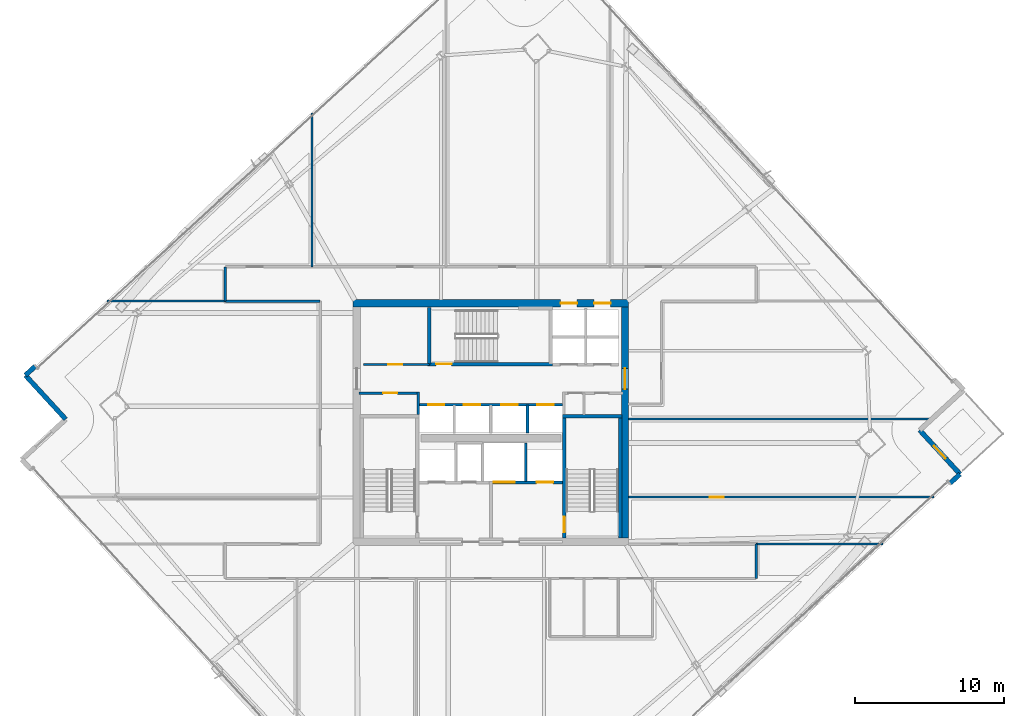
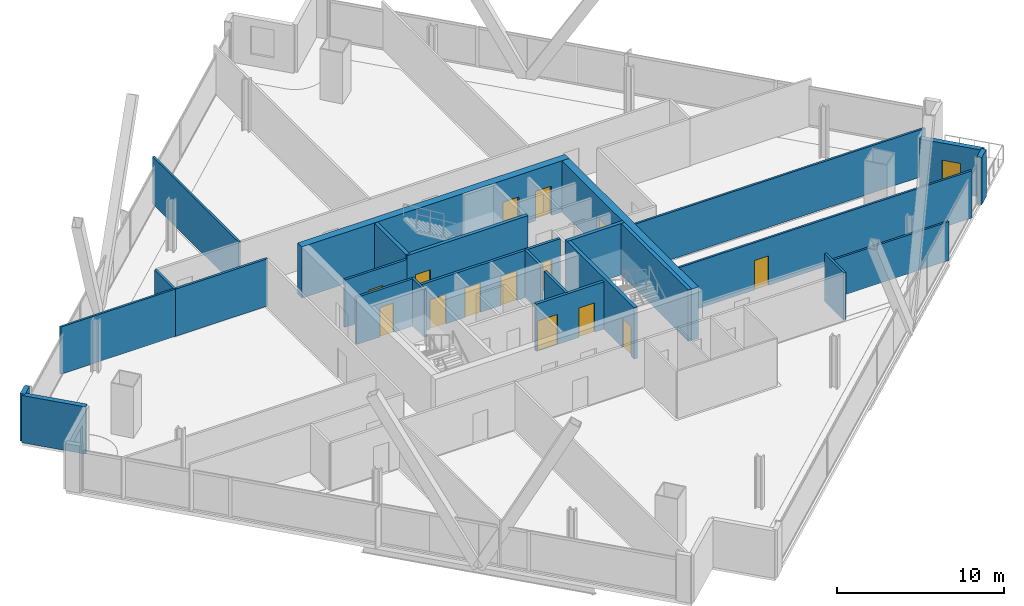
# One storey, part 26 of 32: 26 walls, 15 doors, 15 openings.
"""IFC4 building model written with IfcOpenShell, lengths in metres."""

from ifc_helpers import new_model, si_unit, direction, frame, frame_2d, origin, place, context, subcontext, project, spatial, rectangle, extrude, material, layer, layer_set, type_object, element, fill, save


model = new_model("IFC4")

# Units and contexts
model_context = context("Model", 3, precision=1e-05, world=origin(), true_north=direction((0.0, 1.0)))
body_context = subcontext(model_context, "Body", "Model", "MODEL_VIEW")
ifc_project = project(units=[si_unit("LENGTHUNIT", "METRE"), si_unit("AREAUNIT", "SQUARE_METRE"), si_unit("VOLUMEUNIT", "CUBIC_METRE"), si_unit("PLANEANGLEUNIT", "RADIAN"), si_unit("MASSUNIT", "GRAM", prefix="KILO")], contexts=[model_context])

# Site, building, storey
site_placement = place(None, origin())
site = spatial("IfcSite", under=ifc_project, at=site_placement, CompositionType="ELEMENT")
building_placement = place(site_placement, origin())
building = spatial("IfcBuilding", under=site, at=building_placement, Name="Haldenkirk Collegiate Tower", CompositionType="ELEMENT")
storey_placement = place(building_placement, frame((0.0, 0.0, 170.699951171875)))
storey = spatial("IfcBuildingStorey", under=building, at=storey_placement, Name="L42", CompositionType="ELEMENT", Elevation=170.699951171875)

# Wall, openings, doors
ifc_material_1 = material(Name="Concrete f'c 55 MPa", Category="concrete")
ifc_layer_1 = layer(ifc_material_1, 0.5)
ifc_layer_set_1 = layer_set([ifc_layer_1], Name="Concrete f'c 55 MPa")
wall_type_1 = type_object("IfcWallType", Name="WL-CORE-500", PredefinedType="SHEAR", material=ifc_layer_set_1)
wall_1_placement = place(storey_placement, frame((26.75, 34.0, 0.0), z_axis=(0.0, 0.0, 1.0), x_axis=(1.0, 0.0, 0.0)))
wall_1 = element("IfcWall", 1, at=wall_1_placement, inside=storey, type_object=wall_type_1, Name="L42 central core shear wall N", PredefinedType="SHEAR", context=body_context, shape_type="SweptSolid", body=[
    extrude(rectangle(XDim=18.5, YDim=0.5, at=frame_2d((9.25, 0.0))), origin(), (0.0, 0.0, 1.0), 3.75),
])
opening_1_placement = place(wall_1_placement, frame((13.93505859375, 0.0, 0.0)))
opening_1 = element("IfcOpeningElement", 2, at=opening_1_placement, cuts=wall_1, Name="Opening LD-11", PredefinedType="OPENING", context=body_context, shape_type="SweptSolid", body=[
    extrude(rectangle(XDim=1.10009765625, YDim=2.14990234375, at=frame_2d((0.550048828125, 1.074951171875))), frame((0.0, 0.260009765625, 0.0), z_axis=(0.0, -1.0, 0.0), x_axis=(1.0, 0.0, 0.0)), (0.0, 0.0, 1.0), 0.52001953125),
])
opening_2_placement = place(wall_1_placement, frame((16.18505859375, 0.0, 0.0)))
opening_2 = element("IfcOpeningElement", 3, at=opening_2_placement, cuts=wall_1, Name="Opening LD-11", PredefinedType="OPENING", context=body_context, shape_type="SweptSolid", body=[
    extrude(rectangle(XDim=1.10009765625, YDim=2.14990234375, at=frame_2d((0.550048828125, 1.074951171875))), frame((0.0, 0.260009765625, 0.0), z_axis=(0.0, -1.0, 0.0), x_axis=(1.0, 0.0, 0.0)), (0.0, 0.0, 1.0), 0.52001953125),
])
ifc_material_2 = material(Name="Brushed architectural stainless steel", Category="steel")
ifc_layer_2 = layer(ifc_material_2, 0.06005859375)
ifc_layer_set_2 = layer_set([ifc_layer_2], Name="Brushed architectural stainless steel")
door_type_1 = type_object("IfcDoorType", Name="LD-PASS-1100", OperationType="NOTDEFINED", PredefinedType="DOOR", material=ifc_layer_set_2)
door_1_placement = place(opening_1_placement, origin())
door_1 = element("IfcDoor", 4, at=door_1_placement, inside=storey, type_object=door_type_1, Name="L42 Elevator PM3 sliding landing door", OperationType="SLIDING_TO_LEFT", OverallHeight=2.14990234375, OverallWidth=1.10009765625, PredefinedType="DOOR", context=body_context, shape_type="SweptSolid", body=[
    extrude(rectangle(XDim=1.10009765625, YDim=2.14990234375, at=frame_2d((0.550048828125, 1.074951171875))), frame((0.0, 0.02490234375, 0.0), z_axis=(0.0, -1.0, 0.0), x_axis=(1.0, 0.0, 0.0)), (0.0, 0.0, 1.0), 0.050048828125),
])
fill(opening_1, door_1)
door_2_placement = place(opening_2_placement, origin())
door_2 = element("IfcDoor", 5, at=door_2_placement, inside=storey, type_object=door_type_1, Name="L42 Elevator PM4 sliding landing door", OperationType="SLIDING_TO_LEFT", OverallHeight=2.14990234375, OverallWidth=1.10009765625, PredefinedType="DOOR", context=body_context, shape_type="SweptSolid", body=[
    extrude(rectangle(XDim=1.10009765625, YDim=2.14990234375, at=frame_2d((0.550048828125, 1.074951171875))), frame((0.0, 0.02490234375, 0.0), z_axis=(0.0, -1.0, 0.0), x_axis=(1.0, 0.0, 0.0)), (0.0, 0.0, 1.0), 0.050048828125),
])
fill(opening_2, door_2)

# Wall, opening, door
wall_2_placement = place(storey_placement, frame((45.0, 18.25, 0.0), z_axis=(0.0, 0.0, 1.0), x_axis=(0.0, 1.0, 0.0)))
wall_2 = element("IfcWall", 6, at=wall_2_placement, inside=storey, type_object=wall_type_1, Name="L42 central core shear wall E", PredefinedType="SHEAR", context=body_context, shape_type="SweptSolid", body=[
    extrude(rectangle(XDim=15.5, YDim=0.5, at=frame_2d((7.75, 0.0))), origin(), (0.0, 0.0, 1.0), 3.75),
])
opening_3_placement = place(wall_2_placement, frame((9.989990234375, 0.0, 0.0)))
opening_3 = element("IfcOpeningElement", 7, at=opening_3_placement, cuts=wall_2, Name="Opening D-03", PredefinedType="OPENING", context=body_context, shape_type="SweptSolid", body=[
    extrude(rectangle(XDim=1.39990234375, YDim=2.199951171875, at=frame_2d((0.699951171875, 1.10009765625))), frame((0.0, 0.260009765625, 0.0), z_axis=(0.0, -1.0, 0.0), x_axis=(1.0, 0.0, 0.0)), (0.0, 0.0, 1.0), 0.52001953125),
])
ifc_material_3 = material(Name="Galvanized fire-rated hollow steel door", Category="steel")
ifc_layer_3 = layer(ifc_material_3, 0.06005859375)
ifc_layer_set_3 = layer_set([ifc_layer_3], Name="Galvanized fire-rated hollow steel door")
door_type_2 = type_object("IfcDoorType", Name="DR-LOBBY-FD90-1400", OperationType="NOTDEFINED", PredefinedType="DOOR", material=ifc_layer_set_3)
door_3_placement = place(opening_3_placement, origin())
door_3 = element("IfcDoor", 8, at=door_3_placement, inside=storey, type_object=door_type_2, Name="L42 east lift lobby portal", OperationType="DOUBLE_DOOR_SINGLE_SWING", OverallHeight=2.199951171875, OverallWidth=1.39990234375, PredefinedType="DOOR", context=body_context, shape_type="SweptSolid", body=[
    extrude(rectangle(XDim=1.39990234375, YDim=2.199951171875, at=frame_2d((0.699951171875, 1.10009765625))), frame((0.0, 0.02490234375, 0.0), z_axis=(0.0, -1.0, 0.0), x_axis=(1.0, 0.0, 0.0)), (0.0, 0.0, 1.0), 0.050048828125),
])
fill(opening_3, door_3)

# Wall
ifc_material_4 = material(Name="Precast concrete f'c 40 MPa", Category="concrete")
ifc_layer_4 = layer(ifc_material_4, 0.320068359375)
ifc_layer_set_4 = layer_set([ifc_layer_4], Name="Precast concrete f'c 40 MPa")
wall_type_2 = type_object("IfcWallType", Name="WL-EXT-TWR-320", PredefinedType="STANDARD", material=ifc_layer_set_4)
wall_3_placement = place(storey_placement, frame((67.47119140625, 22.5478515625, 0.0), z_axis=(0.0, 0.0, 1.0), x_axis=(-0.736703606078, -0.676215791587, 0.0)))
element("IfcWall", 9, at=wall_3_placement, inside=storey, type_object=wall_type_2, Name="L42 precast corner pier SL", PredefinedType="STANDARD", context=body_context, shape_type="SweptSolid", body=[
    extrude(rectangle(XDim=0.900146484375, YDim=0.320068359375, at=frame_2d((0.4501953125, 0.0))), origin(), (0.0, 0.0, 1.0), 3.4599609375),
])

# Wall, opening, door
wall_4_placement = place(storey_placement, frame((64.766357421875, 25.49462890625, 0.0), z_axis=(0.0, 0.0, 1.0), x_axis=(0.676216450207, -0.736703001534, 0.0)))
wall_4 = element("IfcWall", 10, at=wall_4_placement, inside=storey, type_object=wall_type_2, Name="L42 bronze precast notch wall 02", PredefinedType="STANDARD", context=body_context, shape_type="SweptSolid", body=[
    extrude(rectangle(XDim=4.0, YDim=0.320068359375, at=frame_2d((2.0, 0.0))), origin(), (0.0, 0.0, 1.0), 3.4599609375),
])
opening_4_placement = place(wall_4_placement, frame((1.425048828125, 0.0, 0.0)))
opening_4 = element("IfcOpeningElement", 11, at=opening_4_placement, cuts=wall_4, Name="Opening D-ST11", PredefinedType="OPENING", context=body_context, shape_type="SweptSolid", body=[
    extrude(rectangle(XDim=1.14990234375, YDim=2.199951171875, at=frame_2d((0.574951171875, 1.10009765625))), frame((0.0, 0.169921875, 0.0), z_axis=(0.0, -1.0, 0.0), x_axis=(1.0, 0.0, 0.0)), (0.0, 0.0, 1.0), 0.340087890625),
])
ifc_material_5 = material(Name="Anodised architectural bronze aluminium", Category="aluminium")
ifc_layer_5 = layer(ifc_material_5, 0.080078125)
ifc_layer_set_5 = layer_set([ifc_layer_5], Name="Anodised architectural bronze aluminium")
door_type_3 = type_object("IfcDoorType", Name="DR-EXT-STER-1150", OperationType="NOTDEFINED", PredefinedType="DOOR", material=ifc_layer_set_5)
door_4_placement = place(opening_4_placement, origin())
door_4 = element("IfcDoor", 12, at=door_4_placement, inside=storey, type_object=door_type_3, Name="L42 spiralling terrace door", OperationType="SINGLE_SWING_LEFT", OverallHeight=2.199951171875, OverallWidth=1.14990234375, PredefinedType="DOOR", context=body_context, shape_type="SweptSolid", body=[
    extrude(rectangle(XDim=1.14990234375, YDim=2.199951171875, at=frame_2d((0.574951171875, 1.10009765625))), frame((0.0, 0.02490234375, 0.0), z_axis=(0.0, -1.0, 0.0), x_axis=(1.0, 0.0, 0.0)), (0.0, 0.0, 1.0), 0.050048828125),
])
fill(opening_4, door_4)

# Walls
wall_5_placement = place(storey_placement, frame((4.782470703125, 29.17578125, 0.0), z_axis=(0.0, 0.0, 1.0), x_axis=(0.736579536921, 0.676350933902, 0.0)))
element("IfcWall", 13, at=wall_5_placement, inside=storey, type_object=wall_type_2, Name="L42 precast corner pier NL", PredefinedType="STANDARD", context=body_context, shape_type="SweptSolid", body=[
    extrude(rectangle(XDim=0.89990234375, YDim=0.320068359375, at=frame_2d((0.449951171875, 0.0))), origin(), (0.0, 0.0, 1.0), 3.4599609375),
])
wall_6_placement = place(storey_placement, frame((7.4873046875, 26.22900390625, 0.0), z_axis=(0.0, 0.0, 1.0), x_axis=(-0.676216450207, 0.736703001534, 0.0)))
element("IfcWall", 14, at=wall_6_placement, inside=storey, type_object=wall_type_2, Name="L42 bronze precast notch wall 08", PredefinedType="STANDARD", context=body_context, shape_type="SweptSolid", body=[
    extrude(rectangle(XDim=4.0, YDim=0.320068359375, at=frame_2d((2.0, 0.0))), origin(), (0.0, 0.0, 1.0), 3.4599609375),
])

# Wall, opening, door
ifc_material_6 = material(Name="Acoustic fire-rated gypsum partition", Category="concrete")
ifc_layer_6 = layer(ifc_material_6, 0.159912109375)
ifc_layer_set_6 = layer_set([ifc_layer_6], Name="Acoustic fire-rated gypsum partition")
wall_type_3 = type_object("IfcWallType", Name="WL-INT-CORR-160", PredefinedType="PARTITIONING", material=ifc_layer_set_6)
wall_7_placement = place(storey_placement, frame((27.14990234375, 27.97998046875, 0.0), z_axis=(0.0, 0.0, 1.0), x_axis=(1.0, 0.0, 0.0)))
wall_7 = element("IfcWall", 15, at=wall_7_placement, inside=storey, type_object=wall_type_3, Name="L42 interior partition IW-L42-VCSW-N", PredefinedType="PARTITIONING", context=body_context, shape_type="SweptSolid", body=[
    extrude(rectangle(XDim=4.050048828125, YDim=0.159912109375, at=frame_2d((2.02490234375, 0.0))), origin(), (0.0, 0.0, 1.0), 3.4599609375),
])
opening_5_placement = place(wall_7_placement, frame((1.625, 0.0, 0.0)))
opening_5 = element("IfcOpeningElement", 16, at=opening_5_placement, cuts=wall_7, Name="Opening D-10", PredefinedType="OPENING", context=body_context, shape_type="SweptSolid", body=[
    extrude(rectangle(XDim=0.949951171875, YDim=2.14990234375, at=frame_2d((0.47509765625, 1.074951171875))), frame((0.0, 0.08984375, 0.0), z_axis=(0.0, -1.0, 0.0), x_axis=(1.0, 0.0, 0.0)), (0.0, 0.0, 1.0), 0.179931640625),
])
ifc_material_7 = material(Name="Solid-core architectural oak fire door", Category="wood")
ifc_layer_7 = layer(ifc_material_7, 0.06005859375)
ifc_layer_set_7 = layer_set([ifc_layer_7], Name="Solid-core architectural oak fire door")
door_type_4 = type_object("IfcDoorType", Name="DR-INT-FD60-950", OperationType="NOTDEFINED", PredefinedType="DOOR", material=ifc_layer_set_7)
door_5_placement = place(opening_5_placement, origin())
door_5 = element("IfcDoor", 17, at=door_5_placement, inside=storey, type_object=door_type_4, Name="L42 core tea pantry door", OperationType="SINGLE_SWING_RIGHT", OverallHeight=2.14990234375, OverallWidth=0.949951171875, PredefinedType="DOOR", context=body_context, shape_type="SweptSolid", body=[
    extrude(rectangle(XDim=0.949951171875, YDim=2.14990234375, at=frame_2d((0.47509765625, 1.074951171875))), frame((0.0, 0.02490234375, 0.0), z_axis=(0.0, -1.0, 0.0), x_axis=(1.0, 0.0, 0.0)), (0.0, 0.0, 1.0), 0.050048828125),
])
fill(opening_5, door_5)

# Wall
wall_8_placement = place(storey_placement, frame((31.1201171875, 26.5400390625, 0.0), z_axis=(0.0, 0.0, 1.0), x_axis=(0.0, 1.0, 0.0)))
element("IfcWall", 18, at=wall_8_placement, inside=storey, type_object=wall_type_3, Name="L42 interior partition IW-L42-VCSW-E", PredefinedType="PARTITIONING", context=body_context, shape_type="SweptSolid", body=[
    extrude(rectangle(XDim=1.510009765625, YDim=0.159912109375, at=frame_2d((0.7548828125, 0.0))), origin(), (0.0, 0.0, 1.0), 3.4599609375),
])

# Wall, opening, door
wall_9_placement = place(storey_placement, frame((27.449951171875, 29.89990234375, 0.0), z_axis=(0.0, 0.0, 1.0), x_axis=(1.0, 0.0, 0.0)))
wall_9 = element("IfcWall", 19, at=wall_9_placement, inside=storey, type_object=wall_type_3, Name="L42 interior partition IW-L42-PLS", PredefinedType="PARTITIONING", context=body_context, shape_type="SweptSolid", body=[
    extrude(rectangle(XDim=4.429931640625, YDim=0.159912109375, at=frame_2d((2.21484375, 0.0))), origin(), (0.0, 0.0, 1.0), 3.4599609375),
])
opening_6_placement = place(wall_9_placement, frame((1.675048828125, 0.0, 0.0)))
opening_6 = element("IfcOpeningElement", 20, at=opening_6_placement, cuts=wall_9, Name="Opening D-10", PredefinedType="OPENING", context=body_context, shape_type="SweptSolid", body=[
    extrude(rectangle(XDim=0.949951171875, YDim=2.14990234375, at=frame_2d((0.47509765625, 1.074951171875))), frame((0.0, 0.08984375, 0.0), z_axis=(0.0, -1.0, 0.0), x_axis=(1.0, 0.0, 0.0)), (0.0, 0.0, 1.0), 0.179931640625),
])
door_6_placement = place(opening_6_placement, origin())
door_6 = element("IfcDoor", 21, at=door_6_placement, inside=storey, type_object=door_type_4, Name="L42 archive door", OperationType="SINGLE_SWING_LEFT", OverallHeight=2.14990234375, OverallWidth=0.949951171875, PredefinedType="DOOR", context=body_context, shape_type="SweptSolid", body=[
    extrude(rectangle(XDim=0.949951171875, YDim=2.14990234375, at=frame_2d((0.47509765625, 1.074951171875))), frame((0.0, 0.02490234375, 0.0), z_axis=(0.0, -1.0, 0.0), x_axis=(1.0, 0.0, 0.0)), (0.0, 0.0, 1.0), 0.050048828125),
])
fill(opening_6, door_6)

# Walls
wall_10_placement = place(storey_placement, frame((18.199951171875, 34.14990234375, 0.0), z_axis=(0.0, 0.0, 1.0), x_axis=(1.0, 0.0, 0.0)))
element("IfcWall", 22, at=wall_10_placement, inside=storey, type_object=wall_type_3, Name="L42 interior partition IW-L42-CNW", PredefinedType="PARTITIONING", context=body_context, shape_type="SweptSolid", body=[
    extrude(rectangle(XDim=6.35009765625, YDim=0.159912109375, at=frame_2d((3.175048828125, 0.0))), origin(), (0.0, 0.0, 1.0), 3.4599609375),
])
for number, where, z_axis, x_axis, name in (
    (23, (53.800048828125, 15.550048828125, 0.0), (0.0, 0.0, 1.0), (0.0, 1.0, 0.0), "L42 interior partition IW-L42-CSR"),
    (24, (18.199951171875, 34.14990234375, 0.0), (0.0, 0.0, 1.0), (0.0, 1.0, 0.0), "L42 interior partition IW-L42-CNL"),
):
    element("IfcWall", number, at=place(storey_placement, frame(where, z_axis=z_axis, x_axis=x_axis)), inside=storey, type_object=wall_type_3, Name=name, PredefinedType="PARTITIONING", context=body_context, shape_type="SweptSolid", body=[
        extrude(rectangle(XDim=2.300048828125, YDim=0.159912109375, at=frame_2d((1.14990234375, 0.0))), origin(), (0.0, 0.0, 1.0), 3.4599609375),
    ])
ifc_layer_8 = layer(ifc_material_6, 0.139892578125)
ifc_layer_set_8 = layer_set([ifc_layer_8], Name="Acoustic fire-rated gypsum partition")
wall_type_4 = type_object("IfcWallType", Name="WL-INT-DIV-140", PredefinedType="PARTITIONING", material=ifc_layer_set_8)
wall_11_placement = place(storey_placement, frame((10.26025390625, 34.14990234375, 0.0), z_axis=(0.0, 0.0, 1.0), x_axis=(1.0, 0.0, 0.0)))
element("IfcWall", 25, at=wall_11_placement, inside=storey, type_object=wall_type_4, Name="L42 interior partition IW-L42-BWN", PredefinedType="PARTITIONING", context=body_context, shape_type="SweptSolid", body=[
    extrude(rectangle(XDim=7.939697265625, YDim=0.139892578125, at=frame_2d((3.9697265625, 0.0))), origin(), (0.0, 0.0, 1.0), 3.4599609375),
])
wall_12_placement = place(storey_placement, frame((53.800048828125, 17.85009765625, 0.0), z_axis=(0.0, 0.0, 1.0), x_axis=(1.0, 0.0, 0.0)))
element("IfcWall", 26, at=wall_12_placement, inside=storey, type_object=wall_type_4, Name="L42 interior partition IW-L42-BES", PredefinedType="PARTITIONING", context=body_context, shape_type="SweptSolid", body=[
    extrude(rectangle(XDim=8.494140625, YDim=0.139892578125, at=frame_2d((4.2470703125, 0.0))), origin(), (0.0, 0.0, 1.0), 2.839111328125),
])
wall_13_placement = place(storey_placement, frame((24.0, 36.449951171875, 0.0), z_axis=(0.0, 0.0, 1.0), x_axis=(0.0, 1.0, 0.0)))
element("IfcWall", 27, at=wall_13_placement, inside=storey, type_object=wall_type_4, Name="L42 interior partition IW-L42-RN1", PredefinedType="PARTITIONING", context=body_context, shape_type="SweptSolid", body=[
    extrude(rectangle(XDim=10.312255859375, YDim=0.139892578125, at=frame_2d((5.15625, 0.0))), origin(), (0.0, 0.0, 1.0), 3.4599609375),
])

# Wall, opening, door
wall_14_placement = place(storey_placement, frame((45.25, 21.0, 0.0), z_axis=(0.0, 0.0, 1.0), x_axis=(1.0, 0.0, 0.0)))
wall_14 = element("IfcWall", 28, at=wall_14_placement, inside=storey, type_object=wall_type_4, Name="L42 interior partition IW-L42-RE1", PredefinedType="PARTITIONING", context=body_context, shape_type="SweptSolid", body=[
    extrude(rectangle(XDim=20.475830078125, YDim=0.139892578125, at=frame_2d((10.23779296875, 0.0))), origin(), (0.0, 0.0, 1.0), 3.4599609375),
])
opening_7_placement = place(wall_14_placement, frame((5.43408203125, 0.0, 0.0)))
opening_7 = element("IfcOpeningElement", 29, at=opening_7_placement, cuts=wall_14, Name="Opening D-12", PredefinedType="OPENING", context=body_context, shape_type="SweptSolid", body=[
    extrude(rectangle(XDim=0.949951171875, YDim=2.14990234375, at=frame_2d((0.47509765625, 1.074951171875))), frame((0.0, 0.079833984375, 0.0), z_axis=(0.0, -1.0, 0.0), x_axis=(1.0, 0.0, 0.0)), (0.0, 0.0, 1.0), 0.159912109375),
])
ifc_layer_9 = layer(ifc_material_7, 0.06005859375)
ifc_layer_set_9 = layer_set([ifc_layer_9], Name="Solid-core architectural oak fire door")
door_type_5 = type_object("IfcDoorType", Name="DR-INT-STD-950", OperationType="NOTDEFINED", PredefinedType="DOOR", material=ifc_layer_set_9)
door_7_placement = place(opening_7_placement, origin())
door_7 = element("IfcDoor", 30, at=door_7_placement, inside=storey, type_object=door_type_5, Name="L42 Breakout Conference Room 11 door", OperationType="SINGLE_SWING_LEFT", OverallHeight=2.14990234375, OverallWidth=0.949951171875, PredefinedType="DOOR", context=body_context, shape_type="SweptSolid", body=[
    extrude(rectangle(XDim=0.949951171875, YDim=2.14990234375, at=frame_2d((0.47509765625, 1.074951171875))), frame((0.0, 0.02490234375, 0.0), z_axis=(0.0, -1.0, 0.0), x_axis=(1.0, 0.0, 0.0)), (0.0, 0.0, 1.0), 0.050048828125),
])
fill(opening_7, door_7)

# Walls
wall_15_placement = place(storey_placement, frame((45.25, 26.25, 0.0), z_axis=(0.0, 0.0, 1.0), x_axis=(1.0, 0.0, 0.0)))
element("IfcWall", 31, at=wall_15_placement, inside=storey, type_object=wall_type_4, Name="L42 interior partition IW-L42-RE2", PredefinedType="PARTITIONING", context=body_context, shape_type="SweptSolid", body=[
    extrude(rectangle(XDim=20.280029296875, YDim=0.139892578125, at=frame_2d((10.14013671875, 0.0))), origin(), (0.0, 0.0, 1.0), 3.4599609375),
])
ifc_material_8 = material(Name="Fire-rated gypsum shaftboard assembly", Category="concrete")
ifc_layer_10 = layer(ifc_material_8, 0.179931640625)
ifc_layer_set_10 = layer_set([ifc_layer_10], Name="Fire-rated gypsum shaftboard assembly")
wall_type_5 = type_object("IfcWallType", Name="WL-INT-SHAFT-180", PredefinedType="PARTITIONING", material=ifc_layer_set_10)
wall_16_placement = place(storey_placement, frame((38.35009765625, 22.050048828125, 0.0), z_axis=(0.0, 0.0, 1.0), x_axis=(0.0, 1.0, 0.0)))
element("IfcWall", 32, at=wall_16_placement, inside=storey, type_object=wall_type_5, Name="L42 interior partition IW-L42-GL1E", PredefinedType="PARTITIONING", context=body_context, shape_type="SweptSolid", body=[
    extrude(rectangle(XDim=2.599853515625, YDim=0.179931640625, at=frame_2d((1.2998046875, 0.0))), origin(), (0.0, 0.0, 1.0), 3.4599609375),
])

# Wall, openings, doors
wall_17_placement = place(storey_placement, frame((31.199951171875, 27.199951171875, 0.0), z_axis=(0.0, 0.0, 1.0), x_axis=(1.0, 0.0, 0.0)))
wall_17 = element("IfcWall", 33, at=wall_17_placement, inside=storey, type_object=wall_type_5, Name="L42 interior partition IW-L42-PHN", PredefinedType="PARTITIONING", context=body_context, shape_type="SweptSolid", body=[
    extrude(rectangle(XDim=9.60009765625, YDim=0.179931640625, at=frame_2d((4.800048828125, 0.0))), origin(), (0.0, 0.0, 1.0), 3.4599609375),
])
opening_8_placement = place(wall_17_placement, frame((0.590087890625, 0.0, 0.0)))
opening_8 = element("IfcOpeningElement", 34, at=opening_8_placement, cuts=wall_17, Name="Opening LD-11", PredefinedType="OPENING", context=body_context, shape_type="SweptSolid", body=[
    extrude(rectangle(XDim=1.10009765625, YDim=2.14990234375, at=frame_2d((0.550048828125, 1.074951171875))), frame((0.0, 0.099853515625, 0.0), z_axis=(0.0, -1.0, 0.0), x_axis=(1.0, 0.0, 0.0)), (0.0, 0.0, 1.0), 0.199951171875),
])
opening_9_placement = place(wall_17_placement, frame((2.989990234375, 0.0, 0.0)))
opening_9 = element("IfcOpeningElement", 35, at=opening_9_placement, cuts=wall_17, Name="Opening LD-11", PredefinedType="OPENING", context=body_context, shape_type="SweptSolid", body=[
    extrude(rectangle(XDim=1.10009765625, YDim=2.14990234375, at=frame_2d((0.550048828125, 1.074951171875))), frame((0.0, 0.099853515625, 0.0), z_axis=(0.0, -1.0, 0.0), x_axis=(1.0, 0.0, 0.0)), (0.0, 0.0, 1.0), 0.199951171875),
])
opening_10_placement = place(wall_17_placement, frame((5.510009765625, 0.0, 0.0)))
opening_10 = element("IfcOpeningElement", 36, at=opening_10_placement, cuts=wall_17, Name="Opening LD-11", PredefinedType="OPENING", context=body_context, shape_type="SweptSolid", body=[
    extrude(rectangle(XDim=1.10009765625, YDim=2.14990234375, at=frame_2d((0.550048828125, 1.074951171875))), frame((0.0, 0.099853515625, 0.0), z_axis=(0.0, -1.0, 0.0), x_axis=(1.0, 0.0, 0.0)), (0.0, 0.0, 1.0), 0.199951171875),
])
opening_11_placement = place(wall_17_placement, frame((7.909912109375, 0.0, 0.0)))
opening_11 = element("IfcOpeningElement", 37, at=opening_11_placement, cuts=wall_17, Name="Opening LD-11", PredefinedType="OPENING", context=body_context, shape_type="SweptSolid", body=[
    extrude(rectangle(XDim=1.10009765625, YDim=2.14990234375, at=frame_2d((0.550048828125, 1.074951171875))), frame((0.0, 0.099853515625, 0.0), z_axis=(0.0, -1.0, 0.0), x_axis=(1.0, 0.0, 0.0)), (0.0, 0.0, 1.0), 0.199951171875),
])
door_8_placement = place(opening_8_placement, origin())
door_8 = element("IfcDoor", 38, at=door_8_placement, inside=storey, type_object=door_type_1, Name="L42 Elevator PH1 sliding landing door", OperationType="SLIDING_TO_LEFT", OverallHeight=2.14990234375, OverallWidth=1.10009765625, PredefinedType="DOOR", context=body_context, shape_type="SweptSolid", body=[
    extrude(rectangle(XDim=1.10009765625, YDim=2.14990234375, at=frame_2d((0.550048828125, 1.074951171875))), frame((0.0, 0.02490234375, 0.0), z_axis=(0.0, -1.0, 0.0), x_axis=(1.0, 0.0, 0.0)), (0.0, 0.0, 1.0), 0.050048828125),
])
fill(opening_8, door_8)
door_9_placement = place(opening_9_placement, origin())
door_9 = element("IfcDoor", 39, at=door_9_placement, inside=storey, type_object=door_type_1, Name="L42 Elevator PH2 sliding landing door", OperationType="SLIDING_TO_LEFT", OverallHeight=2.14990234375, OverallWidth=1.10009765625, PredefinedType="DOOR", context=body_context, shape_type="SweptSolid", body=[
    extrude(rectangle(XDim=1.10009765625, YDim=2.14990234375, at=frame_2d((0.550048828125, 1.074951171875))), frame((0.0, 0.02490234375, 0.0), z_axis=(0.0, -1.0, 0.0), x_axis=(1.0, 0.0, 0.0)), (0.0, 0.0, 1.0), 0.050048828125),
])
fill(opening_9, door_9)
door_10_placement = place(opening_10_placement, origin())
door_10 = element("IfcDoor", 40, at=door_10_placement, inside=storey, type_object=door_type_1, Name="L42 Elevator PH3 sliding landing door", OperationType="SLIDING_TO_LEFT", OverallHeight=2.14990234375, OverallWidth=1.10009765625, PredefinedType="DOOR", context=body_context, shape_type="SweptSolid", body=[
    extrude(rectangle(XDim=1.10009765625, YDim=2.14990234375, at=frame_2d((0.550048828125, 1.074951171875))), frame((0.0, 0.02490234375, 0.0), z_axis=(0.0, -1.0, 0.0), x_axis=(1.0, 0.0, 0.0)), (0.0, 0.0, 1.0), 0.050048828125),
])
fill(opening_10, door_10)
door_11_placement = place(opening_11_placement, origin())
door_11 = element("IfcDoor", 41, at=door_11_placement, inside=storey, type_object=door_type_1, Name="L42 Elevator PH4 sliding landing door", OperationType="SLIDING_TO_LEFT", OverallHeight=2.14990234375, OverallWidth=1.10009765625, PredefinedType="DOOR", context=body_context, shape_type="SweptSolid", body=[
    extrude(rectangle(XDim=1.10009765625, YDim=2.14990234375, at=frame_2d((0.550048828125, 1.074951171875))), frame((0.0, 0.02490234375, 0.0), z_axis=(0.0, -1.0, 0.0), x_axis=(1.0, 0.0, 0.0)), (0.0, 0.0, 1.0), 0.050048828125),
])
fill(opening_11, door_11)

# Wall
wall_18_placement = place(storey_placement, frame((38.4599609375, 25.300048828125, 0.0), z_axis=(0.0, 0.0, 1.0), x_axis=(0.0, 1.0, 0.0)))
element("IfcWall", 42, at=wall_18_placement, inside=storey, type_object=wall_type_5, Name="L42 interior partition IW-L42-PHV3", PredefinedType="PARTITIONING", context=body_context, shape_type="SweptSolid", body=[
    extrude(rectangle(XDim=1.89990234375, YDim=0.179931640625, at=frame_2d((0.949951171875, 0.0))), origin(), (0.0, 0.0, 1.0), 3.4599609375),
])

# Wall, openings, doors
ifc_layer_11 = layer(ifc_material_8, 0.199951171875)
ifc_layer_set_11 = layer_set([ifc_layer_11], Name="Fire-rated gypsum shaftboard assembly")
wall_type_6 = type_object("IfcWallType", Name="WL-INT-SHAFT-200", PredefinedType="PARTITIONING", material=ifc_layer_set_11)
wall_19_placement = place(storey_placement, frame((36.1201171875, 22.0, 0.0), z_axis=(0.0, 0.0, 1.0), x_axis=(1.0, 0.0, 0.0)))
wall_19 = element("IfcWall", 43, at=wall_19_placement, inside=storey, type_object=wall_type_6, Name="L42 interior partition IW-L42-FFL2N", PredefinedType="PARTITIONING", context=body_context, shape_type="SweptSolid", body=[
    extrude(rectangle(XDim=4.68994140625, YDim=0.199951171875, at=frame_2d((2.344970703125, 0.0))), origin(), (0.0, 0.0, 1.0), 3.4599609375),
])
opening_12_placement = place(wall_19_placement, frame((2.955078125, 0.0, 0.0)))
opening_12 = element("IfcOpeningElement", 44, at=opening_12_placement, cuts=wall_19, Name="Opening LD-12", PredefinedType="OPENING", context=body_context, shape_type="SweptSolid", body=[
    extrude(rectangle(XDim=1.10009765625, YDim=2.14990234375, at=frame_2d((0.550048828125, 1.074951171875))), frame((0.0, 0.10986328125, 0.0), z_axis=(0.0, -1.0, 0.0), x_axis=(1.0, 0.0, 0.0)), (0.0, 0.0, 1.0), 0.219970703125),
])
opening_13_placement = place(wall_19_placement, frame((0.080078125, 0.0, 0.0)))
opening_13 = element("IfcOpeningElement", 45, at=opening_13_placement, cuts=wall_19, Name="Opening LD-13", PredefinedType="OPENING", context=body_context, shape_type="SweptSolid", body=[
    extrude(rectangle(XDim=1.39990234375, YDim=2.199951171875, at=frame_2d((0.699951171875, 1.10009765625))), frame((0.0, 0.10986328125, 0.0), z_axis=(0.0, -1.0, 0.0), x_axis=(1.0, 0.0, 0.0)), (0.0, 0.0, 1.0), 0.219970703125),
])
ifc_layer_12 = layer(ifc_material_2, 0.06005859375)
ifc_layer_set_12 = layer_set([ifc_layer_12], Name="Brushed architectural stainless steel")
door_type_6 = type_object("IfcDoorType", Name="LD-FIRE-1100", OperationType="NOTDEFINED", PredefinedType="DOOR", material=ifc_layer_set_12)
door_12_placement = place(opening_12_placement, origin())
door_12 = element("IfcDoor", 46, at=door_12_placement, inside=storey, type_object=door_type_6, Name="L42 Elevator FL2 sliding landing door", OperationType="SLIDING_TO_LEFT", OverallHeight=2.14990234375, OverallWidth=1.10009765625, PredefinedType="DOOR", context=body_context, shape_type="SweptSolid", body=[
    extrude(rectangle(XDim=1.10009765625, YDim=2.14990234375, at=frame_2d((0.550048828125, 1.074951171875))), frame((0.0, 0.02490234375, 0.0), z_axis=(0.0, -1.0, 0.0), x_axis=(1.0, 0.0, 0.0)), (0.0, 0.0, 1.0), 0.050048828125),
])
fill(opening_12, door_12)
ifc_layer_13 = layer(ifc_material_2, 0.06005859375)
ifc_layer_set_13 = layer_set([ifc_layer_13], Name="Brushed architectural stainless steel")
door_type_7 = type_object("IfcDoorType", Name="LD-GOODS-1400", OperationType="NOTDEFINED", PredefinedType="DOOR", material=ifc_layer_set_13)
door_13_placement = place(opening_13_placement, origin())
door_13 = element("IfcDoor", 47, at=door_13_placement, inside=storey, type_object=door_type_7, Name="L42 Elevator GL1 sliding landing door", OperationType="SLIDING_TO_LEFT", OverallHeight=2.199951171875, OverallWidth=1.39990234375, PredefinedType="DOOR", context=body_context, shape_type="SweptSolid", body=[
    extrude(rectangle(XDim=1.39990234375, YDim=2.199951171875, at=frame_2d((0.699951171875, 1.10009765625))), frame((0.0, 0.02490234375, 0.0), z_axis=(0.0, -1.0, 0.0), x_axis=(1.0, 0.0, 0.0)), (0.0, 0.0, 1.0), 0.050048828125),
])
fill(opening_13, door_13)

# Wall, opening, door
ifc_layer_14 = layer(ifc_material_1, 0.239990234375)
ifc_layer_set_14 = layer_set([ifc_layer_14], Name="Concrete f'c 55 MPa")
wall_type_7 = type_object("IfcWallType", Name="WL-SHAFT-240", PredefinedType="SHEAR", material=ifc_layer_set_14)
wall_20_placement = place(storey_placement, frame((40.929931640625, 18.280029296875, 0.0), z_axis=(0.0, 0.0, 1.0), x_axis=(0.0, 1.0, 0.0)))
wall_20 = element("IfcWall", 48, at=wall_20_placement, inside=storey, type_object=wall_type_7, Name="L42 stair shaft shear wall SW-L42-ST2W", PredefinedType="SHEAR", context=body_context, shape_type="SweptSolid", body=[
    extrude(rectangle(XDim=8.260009765625, YDim=0.239990234375, at=frame_2d((4.1298828125, 0.0))), origin(), (0.0, 0.0, 1.0), 3.75),
])
opening_14_placement = place(wall_20_placement, frame((0.364990234375, 0.0, 0.0)))
opening_14 = element("IfcOpeningElement", 49, at=opening_14_placement, cuts=wall_20, Name="Opening D-01", PredefinedType="OPENING", context=body_context, shape_type="SweptSolid", body=[
    extrude(rectangle(XDim=1.050048828125, YDim=2.14990234375, at=frame_2d((0.52490234375, 1.074951171875))), frame((0.0, 0.1298828125, 0.0), z_axis=(0.0, -1.0, 0.0), x_axis=(1.0, 0.0, 0.0)), (0.0, 0.0, 1.0), 0.260009765625),
])
ifc_layer_15 = layer(ifc_material_3, 0.06005859375)
ifc_layer_set_15 = layer_set([ifc_layer_15], Name="Galvanized fire-rated hollow steel door")
door_type_8 = type_object("IfcDoorType", Name="DR-STAIR-FD90-1050", OperationType="NOTDEFINED", PredefinedType="DOOR", material=ifc_layer_set_15)
door_14_placement = place(opening_14_placement, origin())
door_14 = element("IfcDoor", 50, at=door_14_placement, inside=storey, type_object=door_type_8, Name="L42 Stair 2 door", OperationType="SINGLE_SWING_RIGHT", OverallHeight=2.14990234375, OverallWidth=1.050048828125, PredefinedType="DOOR", context=body_context, shape_type="SweptSolid", body=[
    extrude(rectangle(XDim=1.050048828125, YDim=2.14990234375, at=frame_2d((0.52490234375, 1.074951171875))), frame((0.0, 0.02490234375, 0.0), z_axis=(0.0, -1.0, 0.0), x_axis=(1.0, 0.0, 0.0)), (0.0, 0.0, 1.0), 0.050048828125),
])
fill(opening_14, door_14)

# Walls
wall_21_placement = place(storey_placement, frame((40.81005859375, 26.419921875, 0.0), z_axis=(0.0, 0.0, 1.0), x_axis=(1.0, 0.0, 0.0)))
element("IfcWall", 51, at=wall_21_placement, inside=storey, type_object=wall_type_7, Name="L42 stair shaft shear wall SW-L42-ST2N", PredefinedType="SHEAR", context=body_context, shape_type="SweptSolid", body=[
    extrude(rectangle(XDim=3.97998046875, YDim=0.239990234375, at=frame_2d((1.989990234375, 0.0))), origin(), (0.0, 0.0, 1.0), 3.75),
])
wall_22_placement = place(storey_placement, frame((44.669921875, 18.280029296875, 0.0), z_axis=(0.0, 0.0, 1.0), x_axis=(0.0, 1.0, 0.0)))
element("IfcWall", 52, at=wall_22_placement, inside=storey, type_object=wall_type_7, Name="L42 stair shaft shear wall SW-L42-ST2E", PredefinedType="SHEAR", context=body_context, shape_type="SweptSolid", body=[
    extrude(rectangle(XDim=8.260009765625, YDim=0.239990234375, at=frame_2d((4.1298828125, 0.0))), origin(), (0.0, 0.0, 1.0), 3.75),
])

# Wall, opening, door
wall_23_placement = place(storey_placement, frame((31.760009765625, 29.929931640625, 0.0), z_axis=(0.0, 0.0, 1.0), x_axis=(1.0, 0.0, 0.0)))
wall_23 = element("IfcWall", 53, at=wall_23_placement, inside=storey, type_object=wall_type_7, Name="L42 stair shaft shear wall SW-L42-ST3S", PredefinedType="SHEAR", context=body_context, shape_type="SweptSolid", body=[
    extrude(rectangle(XDim=8.3798828125, YDim=0.239990234375, at=frame_2d((4.18994140625, 0.0))), origin(), (0.0, 0.0, 1.0), 3.75),
])
opening_15_placement = place(wall_23_placement, frame((0.56494140625, 0.0, 0.0)))
opening_15 = element("IfcOpeningElement", 54, at=opening_15_placement, cuts=wall_23, Name="Opening D-01", PredefinedType="OPENING", context=body_context, shape_type="SweptSolid", body=[
    extrude(rectangle(XDim=1.050048828125, YDim=2.14990234375, at=frame_2d((0.52490234375, 1.074951171875))), frame((0.0, 0.1298828125, 0.0), z_axis=(0.0, -1.0, 0.0), x_axis=(1.0, 0.0, 0.0)), (0.0, 0.0, 1.0), 0.260009765625),
])
door_15_placement = place(opening_15_placement, origin())
door_15 = element("IfcDoor", 55, at=door_15_placement, inside=storey, type_object=door_type_8, Name="L42 lift lobby Stair 3 door", OperationType="SINGLE_SWING_RIGHT", OverallHeight=2.14990234375, OverallWidth=1.050048828125, PredefinedType="DOOR", context=body_context, shape_type="SweptSolid", body=[
    extrude(rectangle(XDim=1.050048828125, YDim=2.14990234375, at=frame_2d((0.52490234375, 1.074951171875))), frame((0.0, 0.02490234375, 0.0), z_axis=(0.0, -1.0, 0.0), x_axis=(1.0, 0.0, 0.0)), (0.0, 0.0, 1.0), 0.050048828125),
])
fill(opening_15, door_15)

# Wall
wall_24_placement = place(storey_placement, frame((31.8798828125, 29.929931640625, 0.0), z_axis=(0.0, 0.0, 1.0), x_axis=(0.0, 1.0, 0.0)))
element("IfcWall", 56, at=wall_24_placement, inside=storey, type_object=wall_type_7, Name="L42 stair shaft shear wall SW-L42-ST3W", PredefinedType="SHEAR", context=body_context, shape_type="SweptSolid", body=[
    extrude(rectangle(XDim=3.7900390625, YDim=0.239990234375, at=frame_2d((1.89501953125, 0.0))), origin(), (0.0, 0.0, 1.0), 3.75),
])

save(model, "model.ifc")
